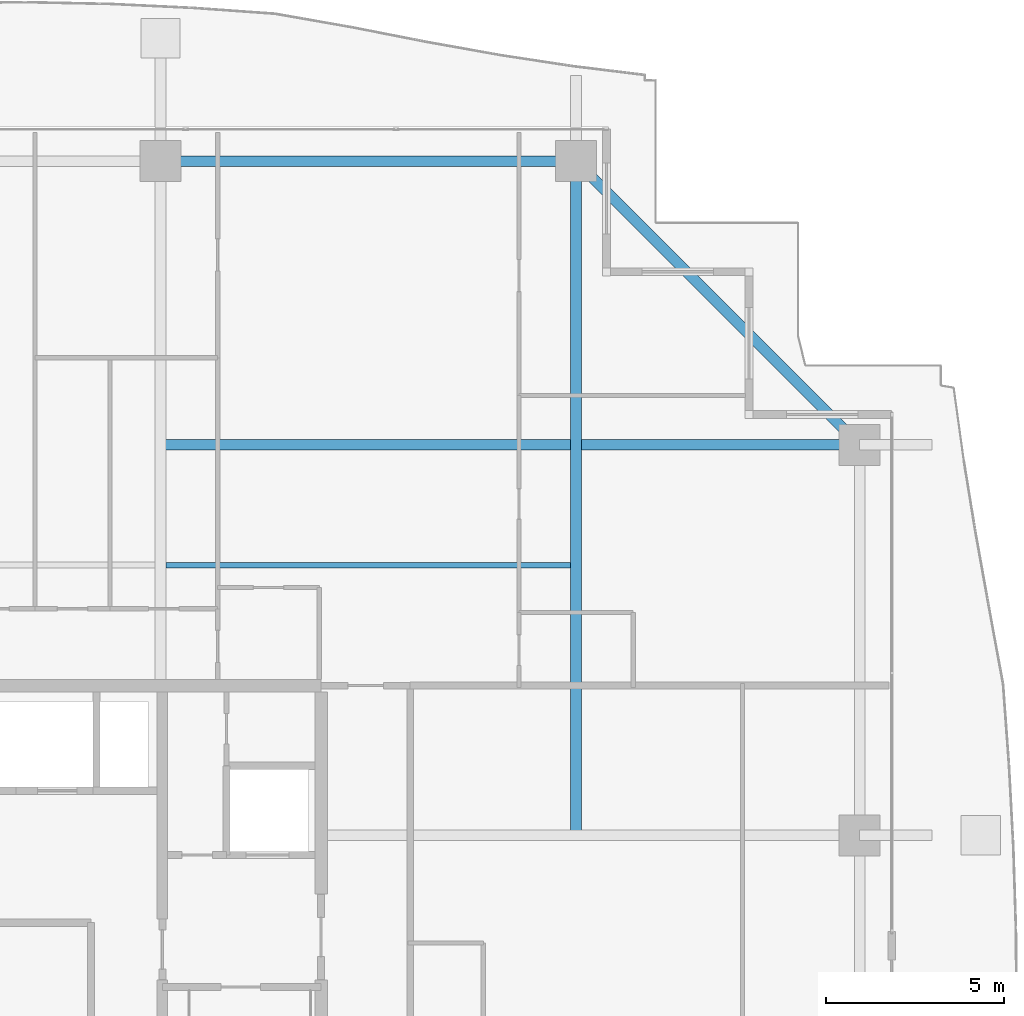
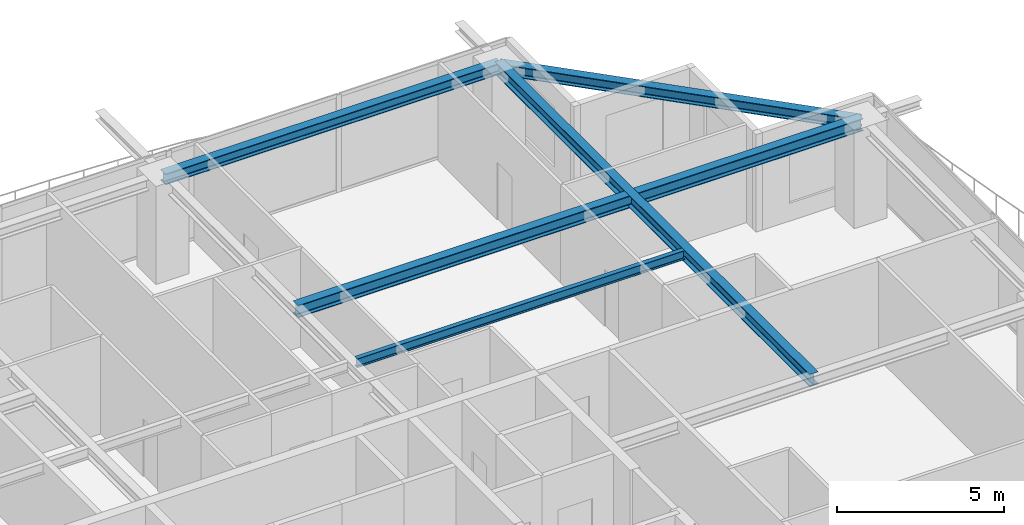
# One storey, part 22 of 37: 5 beams.
"""IFC4 building model written with IfcOpenShell, lengths in metres."""

from ifc_helpers import new_model, si_unit, direction, frame, origin, origin_2d, place, context, subcontext, project, spatial, i_section, extrude, source, transform, mapped, material, material_profile, profile_set, type_object, element, save


model = new_model("IFC4")

# Units and contexts
model_context = context("Model", 3, precision=1e-05, world=origin(), true_north=direction((0.0, 1.0)))
body_context = subcontext(model_context, "Body", "Model", "MODEL_VIEW")
ifc_project = project(units=[si_unit("LENGTHUNIT", "METRE"), si_unit("AREAUNIT", "SQUARE_METRE"), si_unit("VOLUMEUNIT", "CUBIC_METRE"), si_unit("PLANEANGLEUNIT", "RADIAN"), si_unit("MASSUNIT", "GRAM", prefix="KILO")], contexts=[model_context])

# Site, building, storey
site_placement = place(None, origin())
site = spatial("IfcSite", under=ifc_project, at=site_placement, CompositionType="ELEMENT")
building_placement = place(site_placement, origin())
building = spatial("IfcBuilding", under=site, at=building_placement, Name="Serunith Strait Residences", CompositionType="ELEMENT")
storey_placement = place(building_placement, frame((0.0, 0.0, 248.949951171875)))
storey = spatial("IfcBuildingStorey", under=building, at=storey_placement, Name="L62", CompositionType="ELEMENT", Elevation=248.949951171875)

# Beams
ifc_material = material(Name="Steel S355J2", Category="steel")
ifc_material_profile_1 = material_profile(ifc_material, i_section(OverallWidth=0.300048828125, OverallDepth=0.449951171875, WebThickness=0.013916015625, FlangeThickness=0.02587890625, FilletRadius=0.027099609375, at=origin_2d()), Name="HEB 450")
ifc_profile_set_1 = profile_set([ifc_material_profile_1], Name="Steel S355J2")
beam_type_1 = type_object("IfcBeamType", Name="BM-HEB450", PredefinedType="BEAM", material=ifc_profile_set_1)
shared_shape_1 = source(origin(), body_context, "Body", "SweptSolid", [
    extrude(i_section(OverallWidth=0.300048828125, OverallDepth=0.449951171875, WebThickness=0.013916015625, FlangeThickness=0.02587890625, FilletRadius=0.027099609375, at=origin_2d()), origin(), (0.0, 0.0, 1.0), 18.900146484375),
])
beam_1_placement = place(storey_placement, frame((48.550048828125, 29.39990234375, 3.362060546875), z_axis=(0.0, 1.0, 0.0), x_axis=(-1.0, 0.0, 0.0)))
element("IfcBeam", 1, at=beam_1_placement, inside=storey, type_object=beam_type_1, Name="L62 Orthogonal Corner Girder TC-N4", PredefinedType="BEAM", context=body_context, shape_type="MappedRepresentation", body=[
    mapped(shared_shape_1, transform((0.0, 0.0, 0.0), scale=1.0)),
])
shared_shape_2 = source(origin(), body_context, "Body", "SweptSolid", [
    extrude(i_section(OverallWidth=0.300048828125, OverallDepth=0.449951171875, WebThickness=0.013916015625, FlangeThickness=0.02587890625, FilletRadius=0.027099609375, at=origin_2d()), origin(), (0.0, 0.0, 1.0), 19.60009765625),
])
beam_2_placement = place(storey_placement, frame((36.89990234375, 40.35009765625, 3.362060546875), z_axis=(1.0, 0.0, 0.0), x_axis=(0.0, 1.0, 0.0)))
element("IfcBeam", 2, at=beam_2_placement, inside=storey, type_object=beam_type_1, Name="L62 Orthogonal Corner Girder TC-E4", PredefinedType="BEAM", context=body_context, shape_type="MappedRepresentation", body=[
    mapped(shared_shape_2, transform((0.0, 0.0, 0.0), scale=1.0)),
])
ifc_material_profile_2 = material_profile(ifc_material, i_section(OverallWidth=0.300048828125, OverallDepth=0.39990234375, WebThickness=0.013427734375, FlangeThickness=0.02392578125, FilletRadius=0.027099609375, at=origin_2d()), Name="HEB 400")
ifc_profile_set_2 = profile_set([ifc_material_profile_2], Name="Steel S355J2")
beam_type_2 = type_object("IfcBeamType", Name="BM-HEB400", PredefinedType="BEAM", material=ifc_profile_set_2)
shared_shape_3 = source(origin(), body_context, "Body", "SweptSolid", [
    extrude(i_section(OverallWidth=0.300048828125, OverallDepth=0.39990234375, WebThickness=0.013427734375, FlangeThickness=0.02392578125, FilletRadius=0.027099609375, at=origin_2d()), origin(), (0.0, 0.0, 1.0), 11.650146484375),
])
beam_3_placement = place(storey_placement, frame((48.550048828125, 48.300048828125, 3.386962890625), z_axis=(-1.0, 0.0, 0.0), x_axis=(0.0, -1.0, 0.0)))
element("IfcBeam", 3, at=beam_3_placement, inside=storey, type_object=beam_type_2, Name="L62 Perimeter Ring Beam 09", PredefinedType="BEAM", context=body_context, shape_type="MappedRepresentation", body=[
    mapped(shared_shape_3, transform((0.0, 0.0, 0.0), scale=1.0)),
])
shared_shape_4 = source(origin(), body_context, "Body", "SweptSolid", [
    extrude(i_section(OverallWidth=0.300048828125, OverallDepth=0.39990234375, WebThickness=0.013427734375, FlangeThickness=0.02392578125, FilletRadius=0.027099609375, at=origin_2d()), origin(), (0.0, 0.0, 1.0), 11.242919921875),
])
beam_4_placement = place(storey_placement, frame((56.5, 40.35009765625, 3.35693359375), z_axis=(-0.707106781187, 0.707106781187, 0.0), x_axis=(-0.707106781187, -0.707106781187, 0.0)))
element("IfcBeam", 4, at=beam_4_placement, inside=storey, type_object=beam_type_2, Name="L62 Perimeter Ring Beam 08", PredefinedType="BEAM", context=body_context, shape_type="MappedRepresentation", body=[
    mapped(shared_shape_4, transform((0.0, 0.0, 0.0), scale=1.0)),
])
ifc_material_profile_3 = material_profile(ifc_material, i_section(OverallWidth=0.159912109375, OverallDepth=0.330078125, WebThickness=0.007568359375, FlangeThickness=0.011474609375, FilletRadius=0.01806640625, at=origin_2d()), Name="IPE 330")
ifc_profile_set_3 = profile_set([ifc_material_profile_3], Name="Steel S355J2")
beam_type_3 = type_object("IfcBeamType", Name="BM-IPE330", PredefinedType="JOIST", material=ifc_profile_set_3)
shared_shape_5 = source(origin(), body_context, "Body", "SweptSolid", [
    extrude(i_section(OverallWidth=0.159912109375, OverallDepth=0.330078125, WebThickness=0.007568359375, FlangeThickness=0.011474609375, FilletRadius=0.01806640625, at=origin_2d()), origin(), (0.0, 0.0, 1.0), 11.349853515625),
])
beam_5_placement = place(storey_placement, frame((37.050048828125, 36.97509765625, 3.422119140625), z_axis=(1.0, 0.0, 0.0), x_axis=(0.0, 1.0, 0.0)))
element("IfcBeam", 5, at=beam_5_placement, inside=storey, type_object=beam_type_3, Name="L62 Composite Floor Joist 06", PredefinedType="JOIST", context=body_context, shape_type="MappedRepresentation", body=[
    mapped(shared_shape_5, transform((0.0, 0.0, 0.0), scale=1.0)),
])

save(model, "model.ifc")
